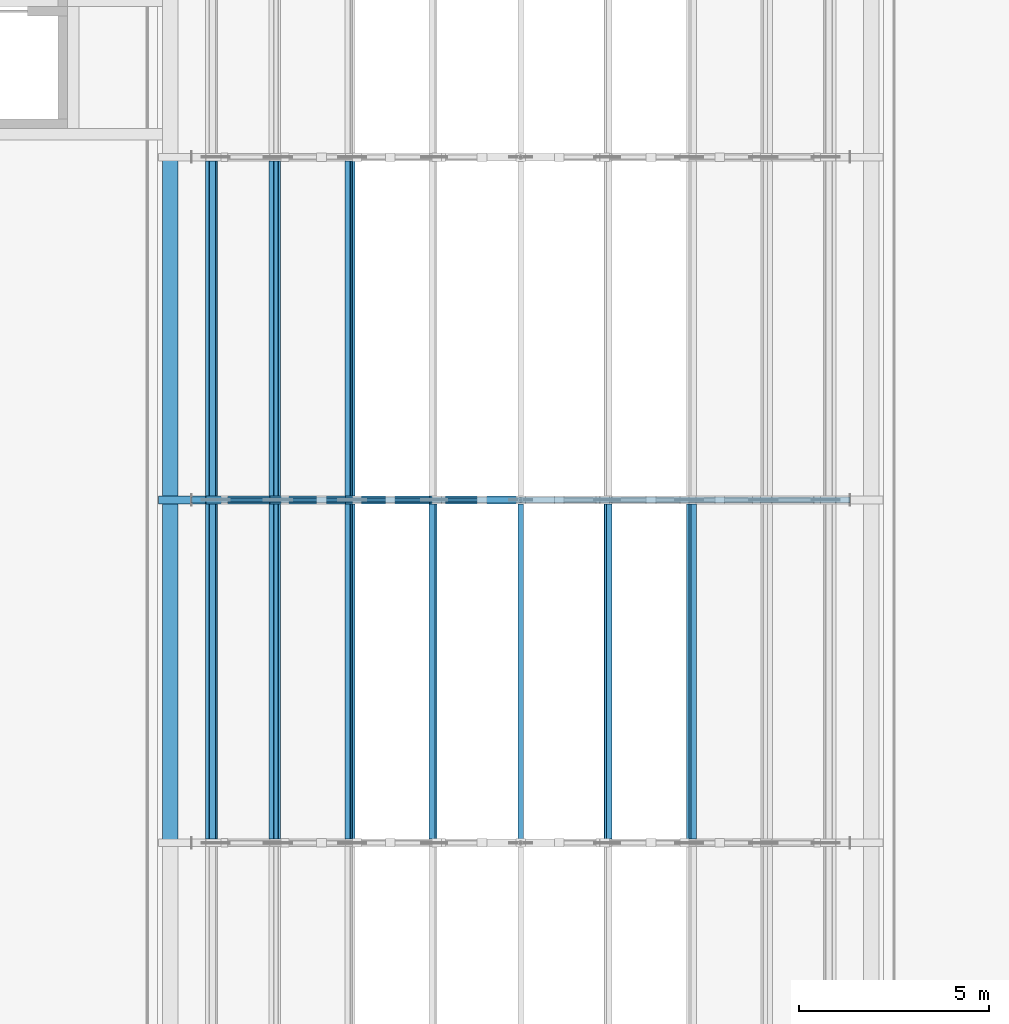
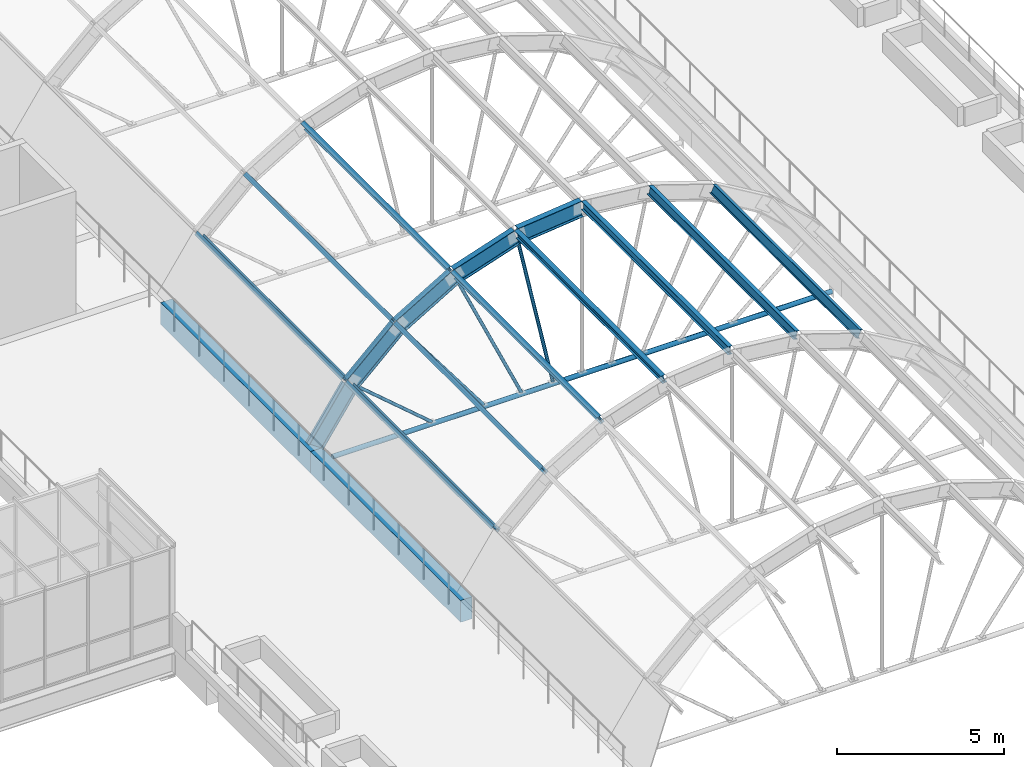
# One storey, part 19 of 79: 15 members, 7 beams.
"""IFC4 building model written with IfcOpenShell, lengths in metres."""

from ifc_helpers import new_model, si_unit, direction, frame, origin, origin_2d, place, context, subcontext, project, spatial, rectangle, hollow_circle, i_section, extrude, material, material_profile, profile_set, type_object, element, save


model = new_model("IFC4")

# Units and contexts
model_context = context("Model", 3, precision=1e-05, world=origin(), true_north=direction((0.0, 1.0)))
body_context = subcontext(model_context, "Body", "Model", "MODEL_VIEW")
ifc_project = project(units=[si_unit("LENGTHUNIT", "METRE"), si_unit("AREAUNIT", "SQUARE_METRE"), si_unit("VOLUMEUNIT", "CUBIC_METRE"), si_unit("PLANEANGLEUNIT", "RADIAN"), si_unit("MASSUNIT", "GRAM", prefix="KILO")], contexts=[model_context])

# Site, building, storey
site_placement = place(None, origin())
site = spatial("IfcSite", under=ifc_project, at=site_placement, CompositionType="ELEMENT")
building_placement = place(site_placement, origin())
building = spatial("IfcBuilding", under=site, at=building_placement, Name="Guidao Yard Department Store", CompositionType="ELEMENT")
storey_placement = place(building_placement, frame((0.0, 0.0, 15.0)))
storey = spatial("IfcBuildingStorey", under=building, at=storey_placement, Name="L03", CompositionType="ELEMENT", Elevation=15.0)

# Members
ifc_material_1 = material(Name="Steel Q355B", Category="steel")
ifc_material_profile_1 = material_profile(ifc_material_1, hollow_circle(Radius=0.056884765625, WallThickness=0.006103515625, at=origin_2d()), Name="CHS 114x6")
ifc_profile_set_1 = profile_set([ifc_material_profile_1], Name="Steel Q355B")
member_type_1 = type_object("IfcMemberType", Name="CHS 114x6", PredefinedType="BRACE", material=ifc_profile_set_1)
member_1_placement = place(storey_placement, frame((84.77490234375, 72.0, -0.360107421875), z_axis=(-0.760338516722, 0.0, 0.649527012516), x_axis=(0.0, -1.0, 0.0)))
element("IfcMember", 1, at=member_1_placement, inside=storey, type_object=member_type_1, Name="Roof web strut C04-01", PredefinedType="BRACE", context=body_context, shape_type="SweptSolid", body=[
    extrude(hollow_circle(Radius=0.056884765625, WallThickness=0.006103515625, at=origin_2d()), origin(), (0.0, 0.0, 1.0), 3.357666015625),
])
member_2_placement = place(storey_placement, frame((86.575927734375, 72.0, -0.360107421875), z_axis=(-0.600934318152, 0.0, 0.799298408147), x_axis=(0.0, -1.0, 0.0)))
element("IfcMember", 2, at=member_2_placement, inside=storey, type_object=member_type_1, Name="Roof web strut C04-02", PredefinedType="BRACE", context=body_context, shape_type="SweptSolid", body=[
    extrude(hollow_circle(Radius=0.056884765625, WallThickness=0.006103515625, at=origin_2d()), origin(), (0.0, 0.0, 1.0), 4.596923828125),
])
member_3_placement = place(storey_placement, frame((87.890869140625, 72.0, -0.360107421875), z_axis=(-0.415142377249, 0.0, 0.909756454559), x_axis=(0.0, -1.0, 0.0)))
element("IfcMember", 3, at=member_3_placement, inside=storey, type_object=member_type_1, Name="Roof web strut C04-03", PredefinedType="BRACE", context=body_context, shape_type="SweptSolid", body=[
    extrude(hollow_circle(Radius=0.056884765625, WallThickness=0.006103515625, at=origin_2d()), origin(), (0.0, 0.0, 1.0), 5.271728515625),
])
member_4_placement = place(storey_placement, frame((88.98876953125, 72.0, -0.360107421875), z_axis=(-0.211899287995, 0.0, 0.977291508071), x_axis=(0.0, -1.0, 0.0)))
element("IfcMember", 4, at=member_4_placement, inside=storey, type_object=member_type_1, Name="Roof web strut C04-04", PredefinedType="BRACE", context=body_context, shape_type="SweptSolid", body=[
    extrude(hollow_circle(Radius=0.056884765625, WallThickness=0.006103515625, at=origin_2d()), origin(), (0.0, 0.0, 1.0), 5.619140625),
])
ifc_material_2 = material(Name="Steel Q355B", Category="steel")
ifc_material_profile_2 = material_profile(ifc_material_2, hollow_circle(Radius=0.083984375, WallThickness=0.008056640625, at=origin_2d()), Name="CHS 168x8")
ifc_profile_set_2 = profile_set([ifc_material_profile_2], Name="Steel Q355B")
member_type_2 = type_object("IfcMemberType", Name="CHS 168x8", PredefinedType="BRACE", material=ifc_profile_set_2)
member_5_placement = place(storey_placement, frame((81.35009765625, 72.0, -0.449951171875), z_axis=(1.0, 0.0, 0.0), x_axis=(0.0, 1.0, 0.0)))
element("IfcMember", 5, at=member_5_placement, inside=storey, type_object=member_type_2, Name="Roof tie rod C04", PredefinedType="BRACE", context=body_context, shape_type="SweptSolid", body=[
    extrude(hollow_circle(Radius=0.083984375, WallThickness=0.008056640625, at=origin_2d()), origin(), (0.0, 0.0, 1.0), 17.2998046875),
])
ifc_material_3 = material(Name="Steel Q355B", Category="steel")
ifc_material_profile_3 = material_profile(ifc_material_3, i_section(OverallWidth=0.14990234375, OverallDepth=0.300048828125, WebThickness=0.006591796875, FlangeThickness=0.009033203125, FilletRadius=0.012939453125, at=origin_2d()), Name="HN 300x150x6.5x9")
ifc_profile_set_3 = profile_set([ifc_material_profile_3], Name="Steel Q355B")
member_type_3 = type_object("IfcMemberType", Name="HN 300x150x6.5x9", PredefinedType="PURLIN", material=ifc_profile_set_3)
for number, where, z_axis, x_axis, name in (
    (6, (81.88330078125, 63.10009765625, 2.110107421875), (0.0, 1.0, 0.0), (-0.649536869322, 0.0, -0.760330096334), "Roof purlin C03-01"),
    (7, (81.88330078125, 72.10009765625, 2.110107421875), (0.0, 1.0, 0.0), (-0.649536869322, 0.0, -0.760330096334), "Roof purlin C04-01"),
    (8, (83.5458984375, 63.10009765625, 3.670166015625), (0.0, 1.0, 0.0), (-0.79928350319, 0.0, -0.600954142617), "Roof purlin C03-02"),
    (9, (83.5458984375, 72.10009765625, 3.670166015625), (0.0, 1.0, 0.0), (-0.79928350319, 0.0, -0.600954142617), "Roof purlin C04-02"),
    (10, (85.517578125, 63.10009765625, 4.841064453125), (0.0, 1.0, 0.0), (-0.909750741633, 0.0, -0.415154896513), "Roof purlin C03-03"),
    (11, (85.517578125, 72.10009765625, 4.841064453125), (0.0, 1.0, 0.0), (-0.909750741633, 0.0, -0.415154896513), "Roof purlin C04-03"),
    (12, (87.703857421875, 63.10009765625, 5.56640625), (0.0, 1.0, 0.0), (-0.977291953985, 0.0, -0.211897231402), "Roof purlin C03-04"),
    (13, (90.0, 63.10009765625, 5.812255859375), (0.0, 1.0, 0.0), (-1.0, 0.0, 0.0), "Roof purlin C03-05"),
    (14, (92.296142578125, 63.10009765625, 5.56640625), (0.0, 1.0, 0.0), (-0.977291953985, 0.0, 0.211897231402), "Roof purlin C03-06"),
    (15, (94.482421875, 63.10009765625, 4.841064453125), (0.0, 1.0, 0.0), (-0.909750741633, 0.0, 0.415154896513), "Roof purlin C03-07"),
):
    element("IfcMember", number, at=place(storey_placement, frame(where, z_axis=z_axis, x_axis=x_axis)), inside=storey, type_object=member_type_3, Name=name, PredefinedType="PURLIN", context=body_context, shape_type="SweptSolid", body=[
        extrude(i_section(OverallWidth=0.14990234375, OverallDepth=0.300048828125, WebThickness=0.006591796875, FlangeThickness=0.009033203125, FilletRadius=0.012939453125, at=origin_2d()), origin(), (0.0, 0.0, 1.0), 8.7998046875),
    ])

# Beams
ifc_material_4 = material(Name="Steel Q355B", Category="steel")
ifc_material_profile_4 = material_profile(ifc_material_4, i_section(OverallWidth=0.199951171875, OverallDepth=0.60009765625, WebThickness=0.010986328125, FlangeThickness=0.01708984375, FilletRadius=0.012939453125, at=origin_2d()), Name="HN 600x200x11x17")
ifc_profile_set_4 = profile_set([ifc_material_profile_4], Name="Steel Q355B")
beam_type_1 = type_object("IfcBeamType", Name="HN 600x200x11x17", PredefinedType="BEAM", material=ifc_profile_set_4)
beam_1_placement = place(storey_placement, frame((80.73681640625, 72.0, 0.168701171875), z_axis=(0.561973245007, 0.0, 0.827155409761), x_axis=(0.0, 1.0, 0.0)))
element("IfcBeam", 16, at=beam_1_placement, inside=storey, type_object=beam_type_1, Name="Roof rib C04-01", PredefinedType="BEAM", context=body_context, shape_type="SweptSolid", body=[
    extrude(i_section(OverallWidth=0.199951171875, OverallDepth=0.60009765625, WebThickness=0.010986328125, FlangeThickness=0.01708984375, FilletRadius=0.012939453125, at=origin_2d()), origin(), (0.0, 0.0, 1.0), 2.201171875),
])
beam_2_placement = place(storey_placement, frame((82.016845703125, 72.0, 2.03955078125), z_axis=(0.729181254966, 0.0, 0.684320610099), x_axis=(0.0, 1.0, 0.0)))
element("IfcBeam", 17, at=beam_2_placement, inside=storey, type_object=beam_type_1, Name="Roof rib C04-02", PredefinedType="BEAM", context=body_context, shape_type="SweptSolid", body=[
    extrude(i_section(OverallWidth=0.199951171875, OverallDepth=0.60009765625, WebThickness=0.010986328125, FlangeThickness=0.01708984375, FilletRadius=0.012939453125, at=origin_2d()), origin(), (0.0, 0.0, 1.0), 2.182373046875),
])
beam_3_placement = place(storey_placement, frame((83.660400390625, 72.0, 3.572265625), z_axis=(0.859895907255, 0.0, 0.510469419933), x_axis=(0.0, 1.0, 0.0)))
element("IfcBeam", 18, at=beam_3_placement, inside=storey, type_object=beam_type_1, Name="Roof rib C04-03", PredefinedType="BEAM", context=body_context, shape_type="SweptSolid", body=[
    extrude(i_section(OverallWidth=0.199951171875, OverallDepth=0.60009765625, WebThickness=0.010986328125, FlangeThickness=0.01708984375, FilletRadius=0.012939453125, at=origin_2d()), origin(), (0.0, 0.0, 1.0), 2.19677734375),
])
beam_4_placement = place(storey_placement, frame((85.60791015625, 72.0, 4.720458984375), z_axis=(0.949091595418, 0.0, 0.31500022779), x_axis=(0.0, 1.0, 0.0)))
element("IfcBeam", 19, at=beam_4_placement, inside=storey, type_object=beam_type_1, Name="Roof rib C04-04", PredefinedType="BEAM", context=body_context, shape_type="SweptSolid", body=[
    extrude(i_section(OverallWidth=0.199951171875, OverallDepth=0.60009765625, WebThickness=0.010986328125, FlangeThickness=0.01708984375, FilletRadius=0.012939453125, at=origin_2d()), origin(), (0.0, 0.0, 1.0), 2.2080078125),
])
beam_5_placement = place(storey_placement, frame((87.766357421875, 72.0, 5.429443359375), z_axis=(0.994311656362, 0.0, 0.10650976492), x_axis=(0.0, 1.0, 0.0)))
element("IfcBeam", 20, at=beam_5_placement, inside=storey, type_object=beam_type_1, Name="Roof rib C04-05", PredefinedType="BEAM", context=body_context, shape_type="SweptSolid", body=[
    extrude(i_section(OverallWidth=0.199951171875, OverallDepth=0.60009765625, WebThickness=0.010986328125, FlangeThickness=0.01708984375, FilletRadius=0.012939453125, at=origin_2d()), origin(), (0.0, 0.0, 1.0), 2.21435546875),
])
ifc_material_5 = material(Name="Concrete C40", Category="concrete")
ifc_material_profile_5 = material_profile(ifc_material_5, rectangle(XDim=0.39990234375, YDim=0.800048828125, at=origin_2d()), Name="Vault bearing beam 400 x 800 C40")
ifc_profile_set_5 = profile_set([ifc_material_profile_5], Name="Concrete C40")
beam_type_2 = type_object("IfcBeamType", Name="Vault bearing beam 400 x 800 C40", PredefinedType="BEAM", material=ifc_profile_set_5)
for number, where, z_axis, x_axis, name in (
    (21, (80.800048828125, 63.0, -0.39990234375), (0.0, 1.0, 0.0), (-1.0, 0.0, 0.0), "Beam VB03"),
    (22, (80.800048828125, 72.0, -0.39990234375), (0.0, 1.0, 0.0), (-1.0, 0.0, 0.0), "Beam VB04"),
):
    element("IfcBeam", number, at=place(storey_placement, frame(where, z_axis=z_axis, x_axis=x_axis)), inside=storey, type_object=beam_type_2, Name=name, PredefinedType="BEAM", context=body_context, shape_type="SweptSolid", body=[
        extrude(rectangle(XDim=0.39990234375, YDim=0.800048828125, at=origin_2d()), origin(), (0.0, 0.0, 1.0), 9.0),
    ])

save(model, "model.ifc")
